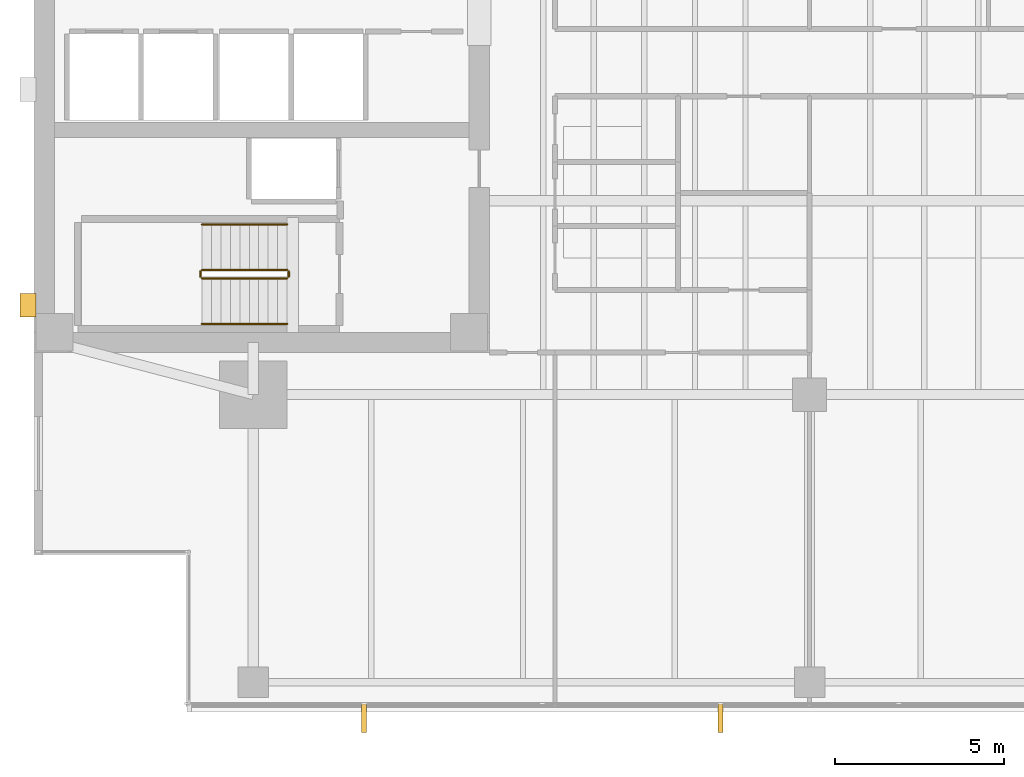
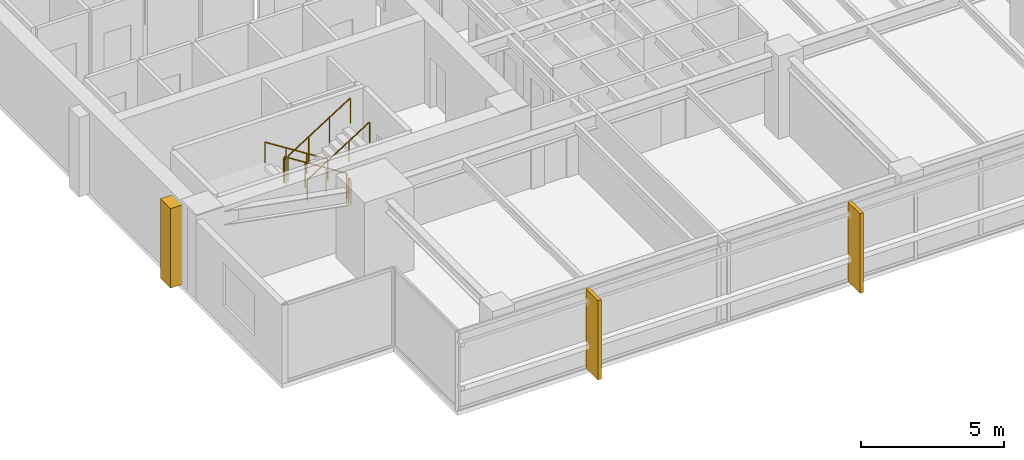
# One storey, part 12 of 15: 6 railings, 3 coverings.
"""IFC4 building model written with IfcOpenShell, lengths in metres."""

from ifc_helpers import new_model, si_unit, direction, frame, origin, origin_2d, place, context, subcontext, project, spatial, polyline, circle, outline, extrude, material, layer, layer_set, type_object, element, save


model = new_model("IFC4")

# Units and contexts
model_context = context("Model", 3, precision=1e-05, world=origin(), true_north=direction((0.0, 1.0)))
body_context = subcontext(model_context, "Body", "Model", "MODEL_VIEW")
ifc_project = project(units=[si_unit("LENGTHUNIT", "METRE"), si_unit("AREAUNIT", "SQUARE_METRE"), si_unit("VOLUMEUNIT", "CUBIC_METRE"), si_unit("PLANEANGLEUNIT", "RADIAN"), si_unit("MASSUNIT", "GRAM", prefix="KILO")], contexts=[model_context])

# Site, building, storey
site_placement = place(None, origin())
site = spatial("IfcSite", under=ifc_project, at=site_placement, CompositionType="ELEMENT")
building_placement = place(site_placement, origin())
building = spatial("IfcBuilding", under=site, at=building_placement, Name="Kinhvarn Gate Tower", CompositionType="ELEMENT")
storey_placement = place(building_placement, frame((0.0, 0.0, 169.699951171875)))
storey = spatial("IfcBuildingStorey", under=building, at=storey_placement, Name="L45", CompositionType="ELEMENT", Elevation=169.699951171875)

# Coverings
ifc_material_1 = material(Name="Fired architectural terracotta", Category="masonry")
ifc_layer_1 = layer(ifc_material_1, 0.139892578125)
ifc_layer_set_1 = layer_set([ifc_layer_1], Name="Fired architectural terracotta")
covering_type_1 = type_object("IfcCoveringType", Name="COV-FIN-850", PredefinedType="CLADDING", material=ifc_layer_set_1)
covering_1_placement = place(storey_placement, frame((0.0, 0.0, -0.02001953125)))
element("IfcCovering", 1, at=covering_1_placement, inside=storey, type_object=covering_type_1, Name="Vertical Terracotta Expressive Fin TFN-850 (L45)", PredefinedType="CLADDING", context=body_context, shape_type="SweptSolid", body=[
    extrude(outline(polyline([(14.2158203125, 3.580078125), (14.355712890625, 3.580078125), (14.355712890625, 2.72998046875), (14.2158203125, 2.72998046875), (14.2158203125, 3.580078125)])), origin(), (0.0, 0.0, 1.0), 3.39013671875),
])
covering_2_placement = place(storey_placement, frame((0.0, 0.0, -0.02001953125)))
element("IfcCovering", 2, at=covering_2_placement, inside=storey, type_object=covering_type_1, Name="Vertical Terracotta Expressive Fin TFN-850 (L45)", PredefinedType="CLADDING", context=body_context, shape_type="SweptSolid", body=[
    extrude(outline(polyline([(24.787109375, 3.580078125), (24.927001953125, 3.580078125), (24.927001953125, 2.72998046875), (24.787109375, 2.72998046875), (24.787109375, 3.580078125)])), origin(), (0.0, 0.0, 1.0), 3.39013671875),
])
ifc_material_2 = material(Name="Precast white architectural concrete C40/50", Category="concrete")
ifc_layer_2 = layer(ifc_material_2, 0.47998046875)
ifc_layer_set_2 = layer_set([ifc_layer_2], Name="Precast white architectural concrete C40/50")
covering_type_2 = type_object("IfcCoveringType", Name="COV-RIB-450", PredefinedType="CLADDING", material=ifc_layer_set_2)
covering_3_placement = place(storey_placement, frame((0.0, 0.0, -0.02001953125)))
element("IfcCovering", 3, at=covering_3_placement, inside=storey, type_object=covering_type_2, Name="West Core Sculptural Concrete Relief Rib CRB-450 (L45)", PredefinedType="CLADDING", context=body_context, shape_type="SweptSolid", body=[
    extrude(outline(polyline([(4.080078125, 15.050048828125), (4.56005859375, 15.050048828125), (4.56005859375, 15.75), (4.080078125, 15.75), (4.080078125, 15.050048828125)])), origin(), (0.0, 0.0, 1.0), 3.39013671875),
])

# Railings
ifc_material_3 = material(Name="Steel S355", Category="steel")
railing_type_1 = type_object("IfcRailingType", Name="RL-ST-GRD", PredefinedType="BALUSTRADE", material=ifc_material_3)
railing_1_placement = place(storey_placement, frame((12.0, 16.449951171875, 0.177490234375)))
element("IfcRailing", 4, at=railing_1_placement, inside=storey, type_object=railing_type_1, Name="L45 ST1 stair guard 1", PredefinedType="BALUSTRADE", context=body_context, shape_type="SweptSolid", body=[
    extrude(circle(Radius=0.02392578125, at=origin_2d()), frame((0.0, 0.0, 1.076171875), z_axis=(-0.84456994832, 0.0, 0.535445237532), x_axis=(0.0, -1.0, 0.0)), (0.0, 0.0, 1.0), 2.98388671875),
    extrude(circle(Radius=0.02099609375, at=origin_2d()), origin(), (0.0, 0.0, 1.0), 1.052001953125),
    extrude(circle(Radius=0.02099609375, at=origin_2d()), frame((-0.840087890625, 0.0, 0.532470703125)), (0.0, 0.0, 1.0), 1.052001953125),
    extrude(circle(Radius=0.02099609375, at=origin_2d()), frame((-1.679931640625, 0.0, 1.065185546875)), (0.0, 0.0, 1.0), 1.052001953125),
    extrude(circle(Radius=0.02099609375, at=origin_2d()), frame((-2.52001953125, 0.0, 1.59765625)), (0.0, 0.0, 1.0), 1.052001953125),
])
railing_2_placement = place(storey_placement, frame((9.429931640625, 16.39990234375, 1.775146484375)))
element("IfcRailing", 5, at=railing_2_placement, inside=storey, type_object=railing_type_1, Name="L45 ST1 stair guard 2", PredefinedType="BALUSTRADE", context=body_context, shape_type="SweptSolid", body=[
    extrude(circle(Radius=0.02392578125, at=origin_2d()), frame((0.0, 0.0, 1.076171875), z_axis=(0.0, -1.0, 0.0), x_axis=(1.0, 0.0, 0.0)), (0.0, 0.0, 1.0), 0.14990234375),
    extrude(circle(Radius=0.02099609375, at=origin_2d()), origin(), (0.0, 0.0, 1.0), 1.052001953125),
    extrude(circle(Radius=0.02099609375, at=origin_2d()), frame((0.0, -0.14990234375, 0.0)), (0.0, 0.0, 1.0), 1.052001953125),
])
railing_3_placement = place(storey_placement, frame((9.47998046875, 16.199951171875, 1.95263671875)))
element("IfcRailing", 6, at=railing_3_placement, inside=storey, type_object=railing_type_1, Name="L45 ST1 stair guard 3", PredefinedType="BALUSTRADE", context=body_context, shape_type="SweptSolid", body=[
    extrude(circle(Radius=0.02392578125, at=origin_2d()), frame((0.0, 0.0, 1.076171875), z_axis=(0.84460694969, 0.0, 0.535386869969), x_axis=(0.0, 1.0, 0.0)), (0.0, 0.0, 1.0), 2.983642578125),
    extrude(circle(Radius=0.02099609375, at=origin_2d()), origin(), (0.0, 0.0, 1.0), 1.052001953125),
    extrude(circle(Radius=0.02099609375, at=origin_2d()), frame((0.840087890625, 0.0, 0.532470703125)), (0.0, 0.0, 1.0), 1.052001953125),
    extrude(circle(Radius=0.02099609375, at=origin_2d()), frame((1.679931640625, 0.0, 1.06494140625)), (0.0, 0.0, 1.0), 1.052001953125),
    extrude(circle(Radius=0.02099609375, at=origin_2d()), frame((2.52001953125, 0.0, 1.597412109375)), (0.0, 0.0, 1.0), 1.052001953125),
])
railing_4_placement = place(storey_placement, frame((12.050048828125, 16.39990234375, 0.0)))
element("IfcRailing", 7, at=railing_4_placement, inside=storey, type_object=railing_type_1, Name="L45 ST1 stair guard 4", PredefinedType="BALUSTRADE", context=body_context, shape_type="SweptSolid", body=[
    extrude(circle(Radius=0.02392578125, at=origin_2d()), frame((0.0, 0.0, 1.076171875), z_axis=(0.0, -1.0, 0.0), x_axis=(1.0, 0.0, 0.0)), (0.0, 0.0, 1.0), 0.14990234375),
    extrude(circle(Radius=0.02099609375, at=origin_2d()), origin(), (0.0, 0.0, 1.0), 1.052001953125),
    extrude(circle(Radius=0.02099609375, at=origin_2d()), frame((0.0, -0.14990234375, 0.0)), (0.0, 0.0, 1.0), 1.052001953125),
])
railing_type_2 = type_object("IfcRailingType", Name="RL-ST-HND", PredefinedType="HANDRAIL", material=ifc_material_3)
railing_5_placement = place(storey_placement, frame((12.0, 17.800048828125, 0.177490234375)))
element("IfcRailing", 8, at=railing_5_placement, inside=storey, type_object=railing_type_2, Name="L45 ST1 stair handrail 1", PredefinedType="HANDRAIL", context=body_context, shape_type="SweptSolid", body=[
    extrude(circle(Radius=0.02392578125, at=origin_2d()), frame((0.0, 0.0, 0.8759765625), z_axis=(-0.84456994832, 0.0, 0.535445237532), x_axis=(0.0, -1.0, 0.0)), (0.0, 0.0, 1.0), 2.98388671875),
    extrude(circle(Radius=0.02099609375, at=origin_2d()), origin(), (0.0, 0.0, 1.0), 0.851806640625),
    extrude(circle(Radius=0.02099609375, at=origin_2d()), frame((-0.840087890625, 0.0, 0.532470703125)), (0.0, 0.0, 1.0), 0.851806640625),
    extrude(circle(Radius=0.02099609375, at=origin_2d()), frame((-1.679931640625, 0.0, 1.065185546875)), (0.0, 0.0, 1.0), 0.851806640625),
    extrude(circle(Radius=0.02099609375, at=origin_2d()), frame((-2.52001953125, 0.0, 1.59765625)), (0.0, 0.0, 1.0), 0.851806640625),
])
railing_6_placement = place(storey_placement, frame((9.47998046875, 14.85009765625, 1.95263671875)))
element("IfcRailing", 9, at=railing_6_placement, inside=storey, type_object=railing_type_2, Name="L45 ST1 stair handrail 2", PredefinedType="HANDRAIL", context=body_context, shape_type="SweptSolid", body=[
    extrude(circle(Radius=0.02392578125, at=origin_2d()), frame((0.0, 0.0, 0.8759765625), z_axis=(0.84460694969, 0.0, 0.535386869969), x_axis=(0.0, 1.0, 0.0)), (0.0, 0.0, 1.0), 2.983642578125),
    extrude(circle(Radius=0.02099609375, at=origin_2d()), origin(), (0.0, 0.0, 1.0), 0.851806640625),
    extrude(circle(Radius=0.02099609375, at=origin_2d()), frame((0.840087890625, 0.0, 0.532470703125)), (0.0, 0.0, 1.0), 0.851806640625),
    extrude(circle(Radius=0.02099609375, at=origin_2d()), frame((1.679931640625, 0.0, 1.06494140625)), (0.0, 0.0, 1.0), 0.851806640625),
    extrude(circle(Radius=0.02099609375, at=origin_2d()), frame((2.52001953125, 0.0, 1.597412109375)), (0.0, 0.0, 1.0), 0.851806640625),
])

save(model, "model.ifc")
